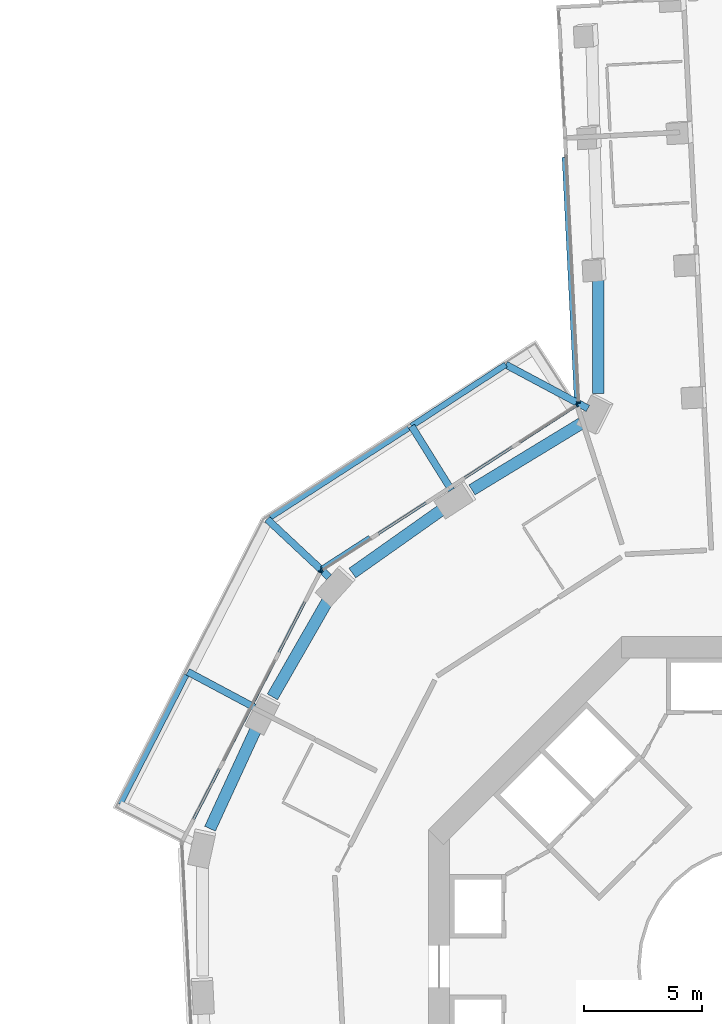
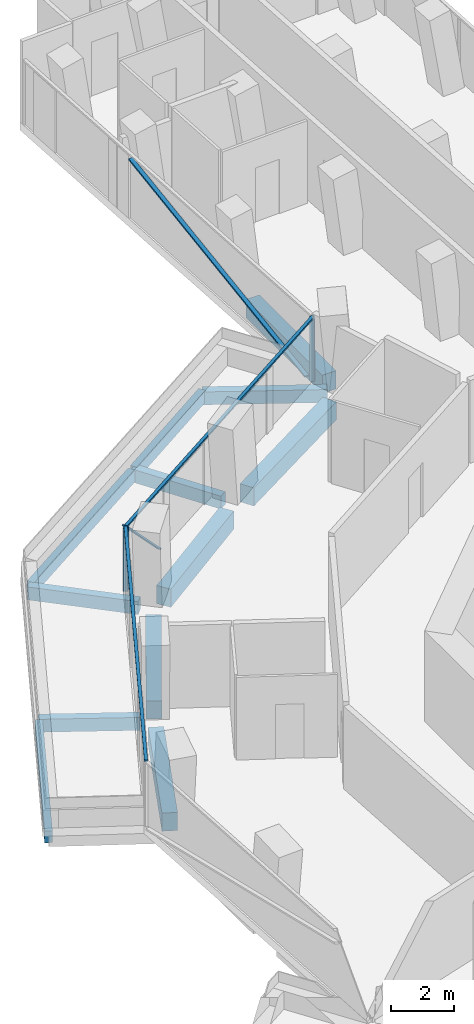
# One storey, part 7 of 25: 12 beams, 8 members, 3 elements without a shape of their own.
"""IFC4 building model written with IfcOpenShell, lengths in metres."""

from ifc_helpers import new_model, si_unit, direction, frame, origin, origin_2d, place, context, subcontext, project, spatial, rectangle, extrude, material, layer, layer_set, material_profile, profile_set, type_object, element, aggregate, save


model = new_model("IFC4")

# Units and contexts
model_context = context("Model", 3, precision=1e-05, world=origin(), true_north=direction((0.0, 1.0)))
body_context = subcontext(model_context, "Body", "Model", "MODEL_VIEW")
ifc_project = project(units=[si_unit("LENGTHUNIT", "METRE"), si_unit("AREAUNIT", "SQUARE_METRE"), si_unit("VOLUMEUNIT", "CUBIC_METRE"), si_unit("PLANEANGLEUNIT", "RADIAN"), si_unit("MASSUNIT", "GRAM", prefix="KILO")], contexts=[model_context])

# Site, building, storey
site_placement = place(None, origin())
site = spatial("IfcSite", under=ifc_project, at=site_placement, CompositionType="ELEMENT")
building_placement = place(site_placement, origin())
building = spatial("IfcBuilding", under=site, at=building_placement, Name="Verdalira Terraces Hotel", CompositionType="ELEMENT")
storey_placement = place(building_placement, frame((0.0, 0.0, 46.0)))
storey = spatial("IfcBuildingStorey", under=building, at=storey_placement, Name="L09", CompositionType="ELEMENT", Elevation=46.0)

# Beams
ifc_material_1 = material(Name="Concrete C40", Category="concrete")
ifc_material_profile_1 = material_profile(ifc_material_1, rectangle(XDim=0.300049, YDim=0.5, at=origin_2d()), Name="RC 300X500")
ifc_profile_set_1 = profile_set([ifc_material_profile_1], Name="Concrete C40")
beam_type_1 = type_object("IfcBeamType", Name="Balcony cantilever beam RC 300X500 C40", PredefinedType="BEAM", material=ifc_profile_set_1)
beam_1_placement = place(storey_placement, frame((-21.393555, 11.004883, -0.560059), z_axis=(-0.882291701, 0.470703042, 0.0), x_axis=(-0.470703042, -0.882291701, 0.0)))
element("IfcBeam", 1, at=beam_1_placement, inside=storey, type_object=beam_type_1, Name="Balcony cantilever beam R11-1", PredefinedType="BEAM", context=body_context, shape_type="SweptSolid", body=[
    extrude(rectangle(XDim=0.300049, YDim=0.5, at=origin_2d()), origin(), (0.0, 0.0, 1.0), 3.200684),
])
beam_2_placement = place(storey_placement, frame((-7.22998, 23.691162, -0.560059), z_axis=(-0.882284496, 0.470716548, 0.0), x_axis=(-0.470716548, -0.882284496, 0.0)))
element("IfcBeam", 2, at=beam_2_placement, inside=storey, type_object=beam_type_1, Name="Balcony cantilever beam R11-3", PredefinedType="BEAM", context=body_context, shape_type="SweptSolid", body=[
    extrude(rectangle(XDim=0.300049, YDim=0.5, at=origin_2d()), origin(), (0.0, 0.0, 1.0), 3.950195),
])
beam_3_placement = place(storey_placement, frame((-13.024902, 20.227295, -0.560059), z_axis=(-0.52873682, 0.848785824, 0.0), x_axis=(-0.848785824, -0.52873682, 0.0)))
element("IfcBeam", 3, at=beam_3_placement, inside=storey, type_object=beam_type_1, Name="Balcony cantilever beam R11-4", PredefinedType="BEAM", context=body_context, shape_type="SweptSolid", body=[
    extrude(rectangle(XDim=0.300049, YDim=0.5, at=origin_2d()), origin(), (0.0, 0.0, 1.0), 3.200684),
])
beam_4_placement = place(storey_placement, frame((-18.218506, 16.531494, -0.560059), z_axis=(-0.730359864, 0.683062566, 0.0), x_axis=(-0.683062566, -0.730359864, 0.0)))
element("IfcBeam", 4, at=beam_4_placement, inside=storey, type_object=beam_type_1, Name="Balcony cantilever beam R11-5", PredefinedType="BEAM", context=body_context, shape_type="SweptSolid", body=[
    extrude(rectangle(XDim=0.300049, YDim=0.5, at=origin_2d()), origin(), (0.0, 0.0, 1.0), 3.5979),
])
ifc_material_2 = material(Name="Concrete C40", Category="concrete")
ifc_material_profile_2 = material_profile(ifc_material_2, rectangle(XDim=0.25, YDim=0.449951, at=origin_2d()), Name="RC 250X450")
ifc_profile_set_2 = profile_set([ifc_material_profile_2], Name="Concrete C40")
beam_type_2 = type_object("IfcBeamType", Name="Balcony edge beam RC 250X450 C40", PredefinedType="BEAM", material=ifc_profile_set_2)
beam_5_placement = place(storey_placement, frame((-24.285889, 12.37793, -0.534912), z_axis=(-0.455861325, -0.890050814, 0.0), x_axis=(0.890050814, -0.455861325, 0.0)))
element("IfcBeam", 5, at=beam_5_placement, inside=storey, type_object=beam_type_2, Name="Balcony edge beam R11-1", PredefinedType="BEAM", context=body_context, shape_type="SweptSolid", body=[
    extrude(rectangle(XDim=0.25, YDim=0.449951, at=origin_2d()), origin(), (0.0, 0.0, 1.0), 6.162109),
])
beam_6_placement = place(storey_placement, frame((-10.715088, 25.550537, -0.534912), z_axis=(-0.837963293, -0.545726598, 0.0), x_axis=(0.545726598, -0.837963293, 0.0)))
element("IfcBeam", 6, at=beam_6_placement, inside=storey, type_object=beam_type_2, Name="Balcony edge beam R11-2", PredefinedType="BEAM", context=body_context, shape_type="SweptSolid", body=[
    extrude(rectangle(XDim=0.25, YDim=0.449951, at=origin_2d()), origin(), (0.0, 0.0, 1.0), 4.776123),
])
beam_7_placement = place(storey_placement, frame((-14.843262, 22.862793, -0.534912), z_axis=(-0.84024891, -0.542200857, 0.0), x_axis=(0.542200857, -0.84024891, 0.0)))
element("IfcBeam", 7, at=beam_7_placement, inside=storey, type_object=beam_type_2, Name="Balcony edge beam R11-3", PredefinedType="BEAM", context=body_context, shape_type="SweptSolid", body=[
    extrude(rectangle(XDim=0.25, YDim=0.449951, at=origin_2d()), origin(), (0.0, 0.0, 1.0), 6.989746),
])

# Curtain wall, members
ifc_material_3 = material(Name="Clear glass", Category="glass")
ifc_layer_1 = layer(ifc_material_3, 0.14990234375)
ifc_layer_set_1 = layer_set([ifc_layer_1], Name="CW1 curtain wall")
curtain_wall_type_1 = type_object("IfcCurtainWallType", Name="CW1 curtain wall", PredefinedType="NOTDEFINED", material=ifc_layer_set_1)
curtain_wall_1_placement = place(storey_placement, origin())
curtain_wall_1 = element("IfcCurtainWall", 8, at=curtain_wall_1_placement, inside=storey, type_object=curtain_wall_type_1, Name="CW1 curtain wall L09 edge 11", PredefinedType="NOTDEFINED")
ifc_material_4 = material(Name="Terracotta frame", Category="masonry")
ifc_material_profile_3 = material_profile(ifc_material_4, rectangle(XDim=0.060059, YDim=0.149902, at=origin_2d()), Name="MU 60x150")
ifc_profile_set_3 = profile_set([ifc_material_profile_3], Name="Terracotta frame")
member_type_1 = type_object("IfcMemberType", Name="CW1 mullion 60x150", PredefinedType="MULLION", material=ifc_profile_set_3)
member_1_placement = place(storey_placement, frame((-7.695068, 23.821777, 0.0), z_axis=(0.0, 0.0, 1.0), x_axis=(-0.839809417, -0.542881334, 0.0)))
member_1 = element("IfcMember", 9, at=member_1_placement, type_object=member_type_1, Name="CW1 mullion", PredefinedType="MULLION", context=body_context, shape_type="SweptSolid", body=[
    extrude(rectangle(XDim=0.060059, YDim=0.149902, at=origin_2d()), origin(), (0.0, 0.0, 1.0), 2.425049),
])
member_2_placement = place(storey_placement, frame((-18.528564, 16.818848, 0.0), z_axis=(0.0, 0.0, 1.0), x_axis=(-0.839809417, -0.542881334, 0.0)))
member_2 = element("IfcMember", 10, at=member_2_placement, type_object=member_type_1, Name="CW1 mullion", PredefinedType="MULLION", context=body_context, shape_type="SweptSolid", body=[
    extrude(rectangle(XDim=0.060059, YDim=0.149902, at=origin_2d()), origin(), (0.0, 0.0, 1.0), 2.425049),
])

# Curtain wall, member
curtain_wall_2_placement = place(storey_placement, origin())
curtain_wall_2 = element("IfcCurtainWall", 11, at=curtain_wall_2_placement, inside=storey, type_object=curtain_wall_type_1, Name="CW1 curtain wall L09 edge 12", PredefinedType="NOTDEFINED")
member_3_placement = place(storey_placement, frame((-18.593506, 16.74707, 0.0), z_axis=(0.0, 0.0, 1.0), x_axis=(-0.455855622, -0.890053735, 0.0)))
member_3 = element("IfcMember", 12, at=member_3_placement, type_object=member_type_1, Name="CW1 mullion", PredefinedType="MULLION", context=body_context, shape_type="SweptSolid", body=[
    extrude(rectangle(XDim=0.060059, YDim=0.149902, at=origin_2d()), origin(), (0.0, 0.0, 1.0), 2.425049),
])

# Member
ifc_material_5 = material(Name="Terracotta frame", Category="masonry")
ifc_material_profile_4 = material_profile(ifc_material_5, rectangle(XDim=0.110107, YDim=0.064941, at=origin_2d()), Name="TR 65x110")
ifc_profile_set_4 = profile_set([ifc_material_profile_4], Name="Terracotta frame")
member_type_2 = type_object("IfcMemberType", Name="CW1 transom 65x110", PredefinedType="USERDEFINED", material=ifc_profile_set_4)
member_4_placement = place(storey_placement, frame((-7.669922, 23.838135, 2.45752), z_axis=(-0.839809643, -0.542880985, 0.0), x_axis=(0.542880985, -0.839809643, 0.0)))
member_4 = element("IfcMember", 13, at=member_4_placement, type_object=member_type_2, Name="CW1 transom", ObjectType="TRANSOM", PredefinedType="USERDEFINED", context=body_context, shape_type="SweptSolid", body=[
    extrude(rectangle(XDim=0.110107, YDim=0.064941, at=origin_2d()), origin(), (0.0, 0.0, 1.0), 12.959717),
])

member_5_placement = place(storey_placement, frame((-18.579834, 16.773682, 2.45752), z_axis=(-0.455847391, -0.890057951, 0.0), x_axis=(0.890057951, -0.455847391, 0.0)))
member_5 = element("IfcMember", 14, at=member_5_placement, type_object=member_type_2, Name="CW1 transom", ObjectType="TRANSOM", PredefinedType="USERDEFINED", context=body_context, shape_type="SweptSolid", body=[
    extrude(rectangle(XDim=0.110107, YDim=0.064941, at=origin_2d()), origin(), (0.0, 0.0, 1.0), 12.919678),
])

aggregate(curtain_wall_2, [member_3, member_5])

# Curtain wall, members
ifc_material_6 = material(Name="Clear glass", Category="glass")
ifc_layer_2 = layer(ifc_material_6, 0.14990234375)
ifc_layer_set_2 = layer_set([ifc_layer_2], Name="CW2 curtain wall")
curtain_wall_type_2 = type_object("IfcCurtainWallType", Name="CW2 curtain wall", PredefinedType="NOTDEFINED", material=ifc_layer_set_2)
curtain_wall_3_placement = place(storey_placement, origin())
curtain_wall_3 = element("IfcCurtainWall", 15, at=curtain_wall_3_placement, inside=storey, type_object=curtain_wall_type_2, Name="CW2 curtain wall L09 edge 10", PredefinedType="NOTDEFINED")
ifc_material_7 = material(Name="Terracotta frame", Category="masonry")
ifc_material_profile_5 = material_profile(ifc_material_7, rectangle(XDim=0.070068, YDim=0.149902, at=origin_2d()), Name="MU 70x150")
ifc_profile_set_5 = profile_set([ifc_material_profile_5], Name="Terracotta frame")
member_type_3 = type_object("IfcMemberType", Name="CW2 mullion 70x150", PredefinedType="MULLION", material=ifc_profile_set_5)
member_6_placement = place(storey_placement, frame((-7.637451, 23.939941, 0.0), z_axis=(0.0, 0.0, 1.0), x_axis=(0.050244318, -0.998736957, 0.0)))
member_6 = element("IfcMember", 16, at=member_6_placement, type_object=member_type_3, Name="CW2 mullion", PredefinedType="MULLION", context=body_context, shape_type="SweptSolid", body=[
    extrude(rectangle(XDim=0.070068, YDim=0.149902, at=origin_2d()), origin(), (0.0, 0.0, 1.0), 2.425049),
])
ifc_material_8 = material(Name="Terracotta frame", Category="masonry")
ifc_material_profile_6 = material_profile(ifc_material_8, rectangle(XDim=0.149902, YDim=0.060059, at=origin_2d()), Name="GB 60x150")
ifc_profile_set_6 = profile_set([ifc_material_profile_6], Name="Terracotta frame")
member_type_4 = type_object("IfcMemberType", Name="Diagonal glazing bar 60x150", PredefinedType="USERDEFINED", material=ifc_profile_set_6)
member_7_placement = place(storey_placement, frame((-8.252197, 34.349365, 2.395264), z_axis=(0.048955545, -0.973223251, -0.224588198), x_axis=(0.998737226, 0.050238961, 0.0)))
member_7 = element("IfcMember", 17, at=member_7_placement, type_object=member_type_4, Name="Diagonal glazing bar", ObjectType="GLAZING BAR", PredefinedType="USERDEFINED", context=body_context, shape_type="SweptSolid", body=[
    extrude(rectangle(XDim=0.149902, YDim=0.060059, at=origin_2d()), origin(), (0.0, 0.0, 1.0), 10.532471),
])
aggregate(curtain_wall_3, [member_6, member_7])

# Member
member_8_placement = place(storey_placement, frame((-16.522217, 18.22168, 0.022705), z_axis=(-0.595577625, -0.385020609, 0.705015194), x_axis=(0.542900231, -0.839797201, 0.0)))
member_8 = element("IfcMember", 18, at=member_8_placement, type_object=member_type_4, Name="Diagonal glazing bar", ObjectType="GLAZING BAR", PredefinedType="USERDEFINED", context=body_context, shape_type="SweptSolid", body=[
    extrude(rectangle(XDim=0.149902, YDim=0.060059, at=origin_2d()), origin(), (0.0, 0.0, 1.0), 3.375244),
])

aggregate(curtain_wall_1, [member_1, member_2, member_4, member_8])

# Beams
ifc_material_9 = material(Name="Concrete C70", Category="concrete")
ifc_material_profile_7 = material_profile(ifc_material_9, rectangle(XDim=0.5, YDim=0.699951, at=origin_2d()), Name="RC 500X700")
ifc_profile_set_7 = profile_set([ifc_material_profile_7], Name="Concrete C70")
beam_type_3 = type_object("IfcBeamType", Name="Spandrel beam RC 500X700 C70", PredefinedType="SPANDREL", material=ifc_profile_set_7)
beam_8_placement = place(storey_placement, frame((-6.791992, 29.155273, -0.659912), z_axis=(-0.000252461, -0.999999968, 0.0), x_axis=(0.999999968, -0.000252461, 0.0)))
element("IfcBeam", 19, at=beam_8_placement, inside=storey, type_object=beam_type_3, Name="Spandrel beam B07", PredefinedType="SPANDREL", context=body_context, shape_type="SweptSolid", body=[
    extrude(rectangle(XDim=0.5, YDim=0.699951, at=origin_2d()), origin(), (0.0, 0.0, 1.0), 4.835205),
])
beam_9_placement = place(storey_placement, frame((-7.50415, 23.058594, -0.659912), z_axis=(-0.854428171, -0.519569534, 0.0), x_axis=(0.519569534, -0.854428171, 0.0)))
element("IfcBeam", 20, at=beam_9_placement, inside=storey, type_object=beam_type_3, Name="Spandrel beam B08", PredefinedType="SPANDREL", context=body_context, shape_type="SweptSolid", body=[
    extrude(rectangle(XDim=0.5, YDim=0.699951, at=origin_2d()), origin(), (0.0, 0.0, 1.0), 5.438965),
])
beam_10_placement = place(storey_placement, frame((-13.345703, 19.447998, -0.659912), z_axis=(-0.816492376, -0.577356216, 0.0), x_axis=(0.577356216, -0.816492376, 0.0)))
element("IfcBeam", 21, at=beam_10_placement, inside=storey, type_object=beam_type_3, Name="Spandrel beam B09", PredefinedType="SPANDREL", context=body_context, shape_type="SweptSolid", body=[
    extrude(rectangle(XDim=0.5, YDim=0.699951, at=origin_2d()), origin(), (0.0, 0.0, 1.0), 4.755371),
])
beam_11_placement = place(storey_placement, frame((-18.25293, 15.573975, -0.659912), z_axis=(-0.497977553, -0.86718992, 0.0), x_axis=(0.86718992, -0.497977553, 0.0)))
element("IfcBeam", 22, at=beam_11_placement, inside=storey, type_object=beam_type_3, Name="Spandrel beam B10", PredefinedType="SPANDREL", context=body_context, shape_type="SweptSolid", body=[
    extrude(rectangle(XDim=0.5, YDim=0.699951, at=origin_2d()), origin(), (0.0, 0.0, 1.0), 4.759033),
])
beam_12_placement = place(storey_placement, frame((-21.281494, 10.169678, -0.659912), z_axis=(-0.418462307, -0.908234164, 0.0), x_axis=(0.908234164, -0.418462307, 0.0)))
element("IfcBeam", 23, at=beam_12_placement, inside=storey, type_object=beam_type_3, Name="Spandrel beam B11", PredefinedType="SPANDREL", context=body_context, shape_type="SweptSolid", body=[
    extrude(rectangle(XDim=0.5, YDim=0.699951, at=origin_2d()), origin(), (0.0, 0.0, 1.0), 4.755371),
])

save(model, "model.ifc")
